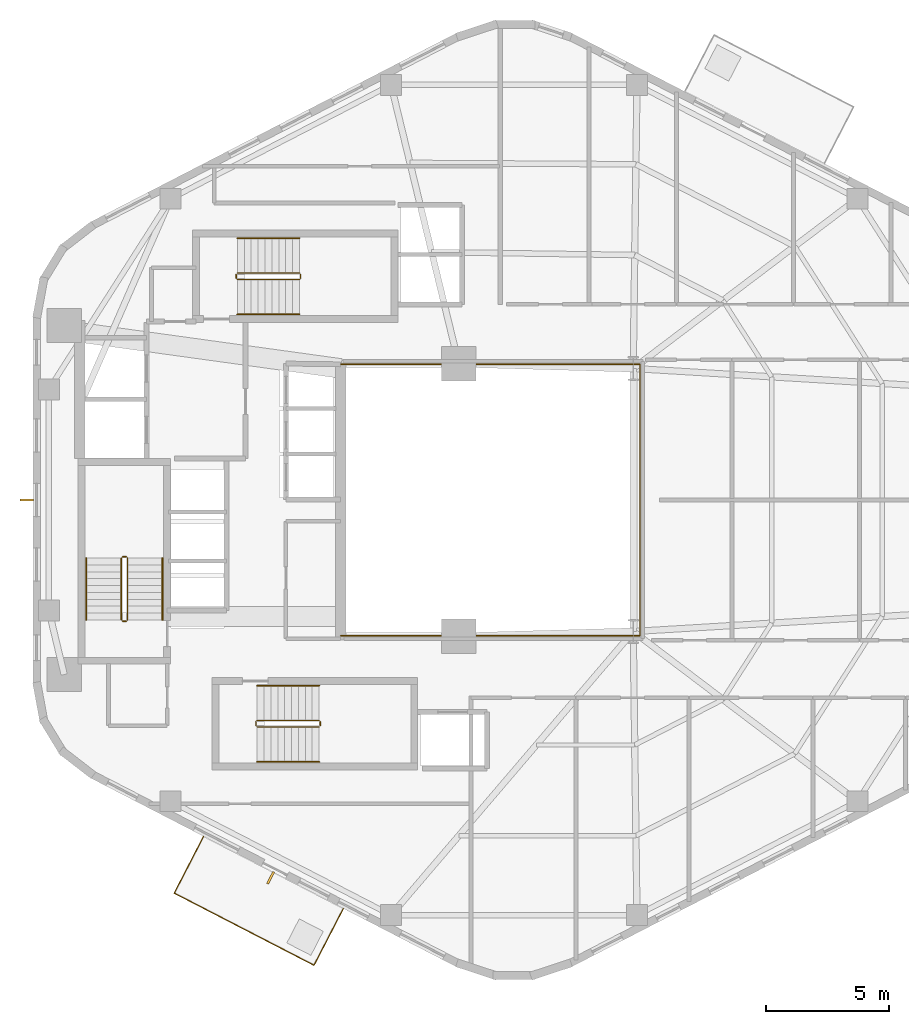
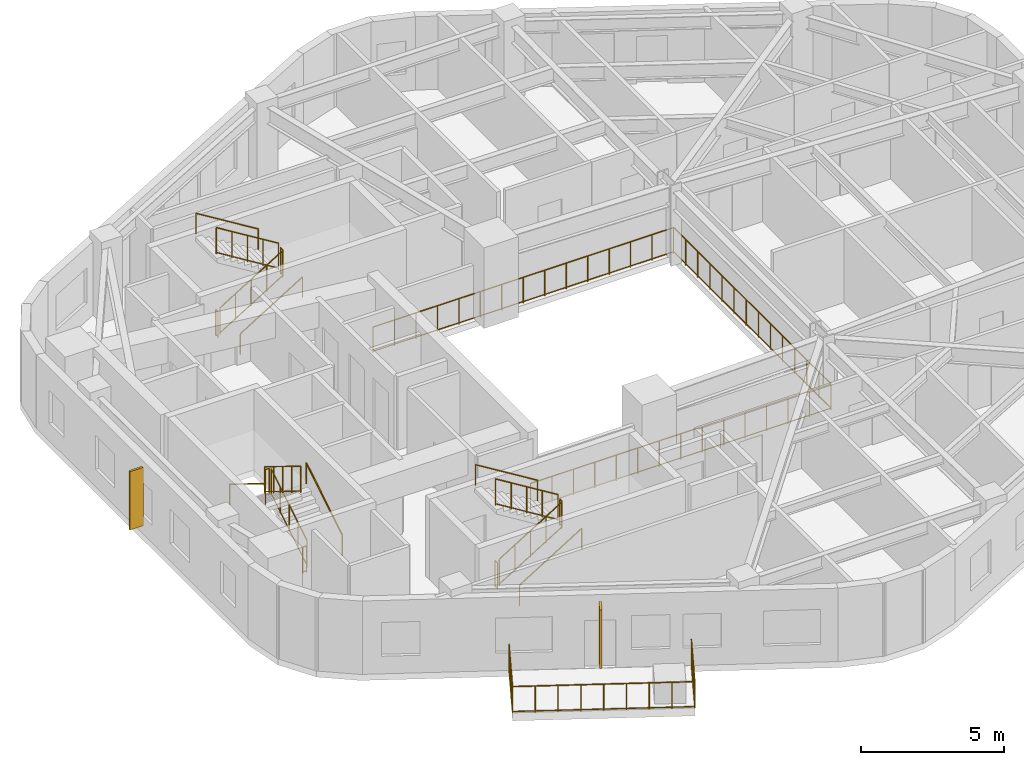
# One storey, part 7 of 8: 20 railings, 2 shading devices.
"""IFC4 building model written with IfcOpenShell, lengths in metres."""

import ifcopenshell
import ifcopenshell.guid

model = None  # the IFC model being written
_history = None  # IfcOwnerHistory: only IFC2X3 demands one
_inside = {}  # id of a spatial element -> (the spatial element, [elements in it])
_under = {}  # id of a project, library or spatial element -> (it, [spatial elements below it])
_declared = {}  # id of a project -> (the project, [libraries it declares])
_typed = {}  # id of a type object -> (the type object, [elements of that type])
_made_of = {}  # id of a material, layer set ... -> (it, [elements and type objects made of it])


def new_model(schema):
    """Start an empty IFC model of exactly this schema.

    Asked for "IFC4X3", IfcOpenShell would pick the latest addendum, in which some entities
    have other attributes; the version numbers below select the first issue.
    IFC2X3 requires an IfcOwnerHistory on every rooted entity: one is made here for all.
    """
    global model, _history
    if schema == "IFC4X3":
        model = ifcopenshell.file(schema_version=(4, 3, 0, 0))
    else:
        model = ifcopenshell.file(schema=schema)
    _inside.clear()
    _under.clear()
    _declared.clear()
    _typed.clear()
    _made_of.clear()
    _history = None
    if model.schema == "IFC2X3":
        org = make("IfcOrganization", Name="unknown")
        user = make(
            "IfcPersonAndOrganization",
            ThePerson=make("IfcPerson", FamilyName="unknown"),
            TheOrganization=org,
        )
        app = make(
            "IfcApplication",
            ApplicationDeveloper=org,
            Version="unknown",
            ApplicationFullName="unknown",
            ApplicationIdentifier="unknown",
        )
        _history = make(
            "IfcOwnerHistory",
            OwningUser=user,
            OwningApplication=app,
            ChangeAction="ADDED",
            CreationDate=0,
        )
    return model


def make(cls, **values):
    """One entity of the class cls with the attributes given. An attribute that is None is left unset."""
    return model.create_entity(
        cls, **{name: value for name, value in values.items() if value is not None}
    )


def rooted(cls, **values):
    """An entity with a GlobalId (a new one), such as an element, a storey or a relation."""
    return make(cls, GlobalId=ifcopenshell.guid.new(), OwnerHistory=_history, **values)


def si_unit(unit_type, name, prefix=None):
    """IfcSIUnit, for example si_unit("LENGTHUNIT", "METRE", prefix="MILLI")."""
    return make("IfcSIUnit", UnitType=unit_type, Prefix=prefix, Name=name)


def assignment(units):
    """IfcUnitAssignment: the units of a project."""
    return None if units is None else make("IfcUnitAssignment", Units=units)


def point(xyz):
    """IfcCartesianPoint."""
    return None if xyz is None else make("IfcCartesianPoint", Coordinates=xyz)


def direction(xyz):
    """IfcDirection."""
    return None if xyz is None else make("IfcDirection", DirectionRatios=xyz)


def frame(location, z_axis=None, x_axis=None):
    """IfcAxis2Placement3D, a coordinate frame: its origin and axes. An axis left out is left unset."""
    return make(
        "IfcAxis2Placement3D",
        Location=point(location),
        Axis=direction(z_axis),
        RefDirection=direction(x_axis),
    )


def frame_2d(location, x_axis=None):
    """IfcAxis2Placement2D, a coordinate frame in the plane: its origin and x axis."""
    return make(
        "IfcAxis2Placement2D", Location=point(location), RefDirection=direction(x_axis)
    )


def origin():
    """The frame at (0, 0, 0) with its axes left unset."""
    return frame((0.0, 0.0, 0.0))


def origin_2d():
    """The frame at (0, 0) in the plane with its x axis left unset."""
    return frame_2d((0.0, 0.0))


def place(relative_to, where):
    """IfcLocalPlacement: puts the frame where relative to a parent placement (None: the world)."""
    return make(
        "IfcLocalPlacement", PlacementRelTo=relative_to, RelativePlacement=where
    )


def context(
    kind, dimensions, precision=None, world=None, true_north=None, identifier=None
):
    """IfcGeometricRepresentationContext, for example the 3D "Model" context."""
    return make(
        "IfcGeometricRepresentationContext",
        ContextIdentifier=identifier,
        ContextType=kind,
        CoordinateSpaceDimension=dimensions,
        Precision=precision,
        WorldCoordinateSystem=world,
        TrueNorth=true_north,
    )


def subcontext(parent, identifier, kind, view, scale=None):
    """IfcGeometricRepresentationSubContext, for example "Body" below "Model"."""
    return make(
        "IfcGeometricRepresentationSubContext",
        ContextIdentifier=identifier,
        ContextType=kind,
        ParentContext=parent,
        TargetScale=scale,
        TargetView=view,
    )


def project(units=None, contexts=None):
    """IfcProject with its units and contexts."""
    return rooted(
        "IfcProject",
        Name="project",
        RepresentationContexts=contexts,
        UnitsInContext=assignment(units),
    )


def spatial(cls, under=None, at=None, **own):
    """A site, building, storey or space (cls), placed at a placement, below another one or the project."""
    s = rooted(cls, ObjectPlacement=at, **own)
    if under is not None:
        _under.setdefault(under.id(), (under, []))[1].append(s)
    return s


def profile(cls, at=None, kind="AREA", **sizes):
    """A parametric profile (cls). Its sizes go by their IFC names, for example OverallWidth=200.0."""
    return make(cls, ProfileType=kind, Position=at, **sizes)


def rectangle(**sizes):
    """IfcRectangleProfileDef."""
    return profile("IfcRectangleProfileDef", **sizes)


def circle(**sizes):
    """IfcCircleProfileDef."""
    return profile("IfcCircleProfileDef", **sizes)


def extrude(swept, where, along, depth):
    """IfcExtrudedAreaSolid: the profile swept, set in the frame where, extruded along a direction by depth."""
    return make(
        "IfcExtrudedAreaSolid",
        SweptArea=swept,
        Position=where,
        ExtrudedDirection=direction(along),
        Depth=depth,
    )


def shape(context_of_items, identifier, shape_type, items):
    """IfcShapeRepresentation: the items that make up one representation, for example the "Body"."""
    return make(
        "IfcShapeRepresentation",
        ContextOfItems=context_of_items,
        RepresentationIdentifier=identifier,
        RepresentationType=shape_type,
        Items=items,
    )


def material(Name=None, Category=None):
    """IfcMaterial."""
    return make("IfcMaterial", Name=Name, Category=Category)


def made_of(thing, what):
    """Note that an element or type object is made of a material, layer set ...; save() writes the relation."""
    if what is not None:
        _made_of.setdefault(what.id(), (what, []))[1].append(thing)
    return thing


def type_object(cls, material=None, **own):
    """A type object (cls), such as IfcWallType, which elements share."""
    return made_of(rooted(cls, **own), material)


def element(
    cls,
    number,
    at=None,
    inside=None,
    cuts=None,
    type_object=None,
    material=None,
    context=None,
    identifier="Body",
    shape_type=None,
    held_by="IfcProductDefinitionShape",
    body=None,
    shapes=None,
    **own,
):
    """One element of the class cls, such as IfcWall. Its Tag is "e" and its number.

    at: its placement. inside: the storey or other place that contains it. cuts: it is an
    opening in that element (IfcRelVoidsElement). A single representation is given by context,
    identifier, shape_type and body (its items); several are given by shapes. held_by: the class
    of the entity that holds the representations. save() writes the other relations.
    """
    e = rooted(cls, Tag="e%d" % number, ObjectPlacement=at, **own)
    if body is not None:
        shapes = [shape(context, identifier, shape_type, body)]
    if shapes is not None:
        e.Representation = make(held_by, Representations=shapes)
    if inside is not None:
        _inside.setdefault(inside.id(), (inside, []))[1].append(e)
    if cuts is not None:
        rooted(
            "IfcRelVoidsElement", RelatingBuildingElement=cuts, RelatedOpeningElement=e
        )
    if type_object is not None:
        _typed.setdefault(type_object.id(), (type_object, []))[1].append(e)
    return made_of(e, material)


def aggregate(whole, parts):
    """IfcRelAggregates: a whole, such as a stair, and the parts it consists of."""
    return rooted("IfcRelAggregates", RelatingObject=whole, RelatedObjects=parts)


def save(model, path):
    """Write the relations noted so far, then the file.

    IfcRelAggregates (storeys below a building ...), IfcRelContainedInSpatialStructure (elements
    in a storey), IfcRelDefinesByType, IfcRelAssociatesMaterial and IfcRelDeclares: one each for
    every whole, place, type object, material and project.
    """
    for whole, parts in _under.values():
        aggregate(whole, parts)
    for where, things in _inside.values():
        rooted(
            "IfcRelContainedInSpatialStructure",
            RelatedElements=things,
            RelatingStructure=where,
        )
    for kind, things in _typed.values():
        rooted("IfcRelDefinesByType", RelatedObjects=things, RelatingType=kind)
    for what, things in _made_of.values():
        rooted("IfcRelAssociatesMaterial", RelatedObjects=things, RelatingMaterial=what)
    for by, libraries in _declared.values():
        rooted("IfcRelDeclares", RelatingContext=by, RelatedDefinitions=libraries)
    model.write(path)


model = new_model("IFC4")

# Units and contexts
model_context = context("Model", 3, precision=1e-05, world=origin(), true_north=direction((0.0, 1.0)))
body_context = subcontext(model_context, "Body", "Model", "MODEL_VIEW")
ifc_project = project(units=[si_unit("LENGTHUNIT", "METRE"), si_unit("AREAUNIT", "SQUARE_METRE"), si_unit("VOLUMEUNIT", "CUBIC_METRE"), si_unit("PLANEANGLEUNIT", "RADIAN"), si_unit("MASSUNIT", "GRAM", prefix="KILO"), si_unit("THERMODYNAMICTEMPERATUREUNIT", "KELVIN"), si_unit("POWERUNIT", "WATT")], contexts=[model_context])

# Site, building, storey
site_placement = place(None, origin())
site = spatial("IfcSite", under=ifc_project, at=site_placement, CompositionType="ELEMENT")
building_placement = place(site_placement, origin())
building = spatial("IfcBuilding", under=site, at=building_placement, Name="Skarre Station Tower", CompositionType="ELEMENT")
storey_placement = place(building_placement, frame((0.0, 0.0, 187.800048828125)))
storey = spatial("IfcBuildingStorey", under=building, at=storey_placement, Name="L51", CompositionType="ELEMENT", Elevation=187.800048828125)

# Railings
ifc_material_1 = material(Name="Bronze Anodized Steel & Laminated Glass Balustrade", Category="steel")
railing_type_1 = type_object("IfcRailingType", Name="Atrium Void & Mezzanine Guard Balustrade 1120", PredefinedType="GUARDRAIL", material=ifc_material_1)
railing_1_placement = place(storey_placement, frame((27.550048828125, 18.47998046875, 0.0)))
element("IfcRailing", 1, at=railing_1_placement, inside=storey, type_object=railing_type_1, Name="L51 Atrium Void Guard Balustrade", PredefinedType="GUARDRAIL", context=body_context, shape_type="SweptSolid", body=[
    extrude(circle(Radius=0.02392578125, at=origin_2d()), frame((0.0, 0.0, 1.09619140625), z_axis=(1.0, 0.0, 0.0), x_axis=(0.0, 1.0, 0.0)), (0.0, 0.0, 1.0), 12.169921875),
    extrude(circle(Radius=0.02099609375, at=origin_2d()), frame((0.0, 0.0, 0.06005859375), z_axis=(1.0, 0.0, 0.0), x_axis=(0.0, 1.0, 0.0)), (0.0, 0.0, 1.0), 12.169921875),
    extrude(circle(Radius=0.02392578125, at=origin_2d()), frame((12.169921875, 0.0, 1.09619140625), z_axis=(0.0, 1.0, 0.0), x_axis=(-1.0, 0.0, 0.0)), (0.0, 0.0, 1.0), 11.0400390625),
    extrude(circle(Radius=0.02099609375, at=origin_2d()), frame((12.169921875, 0.0, 0.06005859375), z_axis=(0.0, 1.0, 0.0), x_axis=(-1.0, 0.0, 0.0)), (0.0, 0.0, 1.0), 11.0400390625),
    extrude(circle(Radius=0.02392578125, at=origin_2d()), frame((12.169921875, 11.0400390625, 1.09619140625), z_axis=(-1.0, 0.0, 0.0), x_axis=(0.0, -1.0, 0.0)), (0.0, 0.0, 1.0), 12.169921875),
    extrude(circle(Radius=0.02099609375, at=origin_2d()), frame((12.169921875, 11.0400390625, 0.06005859375), z_axis=(-1.0, 0.0, 0.0), x_axis=(0.0, -1.0, 0.0)), (0.0, 0.0, 1.0), 12.169921875),
    extrude(circle(Radius=0.02099609375, at=origin_2d()), origin(), (0.0, 0.0, 1.0), 1.072021484375),
    extrude(circle(Radius=0.02099609375, at=origin_2d()), frame((0.869384765625, 0.0, 0.0)), (0.0, 0.0, 1.0), 1.072021484375),
    extrude(circle(Radius=0.02099609375, at=origin_2d()), frame((1.738525390625, 0.0, 0.0)), (0.0, 0.0, 1.0), 1.072021484375),
    extrude(circle(Radius=0.02099609375, at=origin_2d()), frame((2.60791015625, 0.0, 0.0)), (0.0, 0.0, 1.0), 1.072021484375),
    extrude(circle(Radius=0.02099609375, at=origin_2d()), frame((3.47705078125, 0.0, 0.0)), (0.0, 0.0, 1.0), 1.072021484375),
    extrude(circle(Radius=0.02099609375, at=origin_2d()), frame((4.346435546875, 0.0, 0.0)), (0.0, 0.0, 1.0), 1.072021484375),
    extrude(circle(Radius=0.02099609375, at=origin_2d()), frame((5.215576171875, 0.0, 0.0)), (0.0, 0.0, 1.0), 1.072021484375),
    extrude(circle(Radius=0.02099609375, at=origin_2d()), frame((6.0849609375, 0.0, 0.0)), (0.0, 0.0, 1.0), 1.072021484375),
    extrude(circle(Radius=0.02099609375, at=origin_2d()), frame((6.954345703125, 0.0, 0.0)), (0.0, 0.0, 1.0), 1.072021484375),
    extrude(circle(Radius=0.02099609375, at=origin_2d()), frame((7.823486328125, 0.0, 0.0)), (0.0, 0.0, 1.0), 1.072021484375),
    extrude(circle(Radius=0.02099609375, at=origin_2d()), frame((8.69287109375, 0.0, 0.0)), (0.0, 0.0, 1.0), 1.072021484375),
    extrude(circle(Radius=0.02099609375, at=origin_2d()), frame((9.56201171875, 0.0, 0.0)), (0.0, 0.0, 1.0), 1.072021484375),
    extrude(circle(Radius=0.02099609375, at=origin_2d()), frame((10.431396484375, 0.0, 0.0)), (0.0, 0.0, 1.0), 1.072021484375),
    extrude(circle(Radius=0.02099609375, at=origin_2d()), frame((11.300537109375, 0.0, 0.0)), (0.0, 0.0, 1.0), 1.072021484375),
    extrude(circle(Radius=0.02099609375, at=origin_2d()), frame((12.169921875, 0.0, 0.0)), (0.0, 0.0, 1.0), 1.072021484375),
    extrude(circle(Radius=0.02099609375, at=origin_2d()), frame((12.169921875, 0.84912109375, 0.0)), (0.0, 0.0, 1.0), 1.072021484375),
    extrude(circle(Radius=0.02099609375, at=origin_2d()), frame((12.169921875, 1.698486328125, 0.0)), (0.0, 0.0, 1.0), 1.072021484375),
    extrude(circle(Radius=0.02099609375, at=origin_2d()), frame((12.169921875, 2.547607421875, 0.0)), (0.0, 0.0, 1.0), 1.072021484375),
    extrude(circle(Radius=0.02099609375, at=origin_2d()), frame((12.169921875, 3.39697265625, 0.0)), (0.0, 0.0, 1.0), 1.072021484375),
    extrude(circle(Radius=0.02099609375, at=origin_2d()), frame((12.169921875, 4.24609375, 0.0)), (0.0, 0.0, 1.0), 1.072021484375),
    extrude(circle(Radius=0.02099609375, at=origin_2d()), frame((12.169921875, 5.095458984375, 0.0)), (0.0, 0.0, 1.0), 1.072021484375),
    extrude(circle(Radius=0.02099609375, at=origin_2d()), frame((12.169921875, 5.944580078125, 0.0)), (0.0, 0.0, 1.0), 1.072021484375),
    extrude(circle(Radius=0.02099609375, at=origin_2d()), frame((12.169921875, 6.7939453125, 0.0)), (0.0, 0.0, 1.0), 1.072021484375),
    extrude(circle(Radius=0.02099609375, at=origin_2d()), frame((12.169921875, 7.64306640625, 0.0)), (0.0, 0.0, 1.0), 1.072021484375),
    extrude(circle(Radius=0.02099609375, at=origin_2d()), frame((12.169921875, 8.492431640625, 0.0)), (0.0, 0.0, 1.0), 1.072021484375),
    extrude(circle(Radius=0.02099609375, at=origin_2d()), frame((12.169921875, 9.341552734375, 0.0)), (0.0, 0.0, 1.0), 1.072021484375),
    extrude(circle(Radius=0.02099609375, at=origin_2d()), frame((12.169921875, 10.19091796875, 0.0)), (0.0, 0.0, 1.0), 1.072021484375),
    extrude(circle(Radius=0.02099609375, at=origin_2d()), frame((12.169921875, 11.0400390625, 0.0)), (0.0, 0.0, 1.0), 1.072021484375),
    extrude(circle(Radius=0.02099609375, at=origin_2d()), frame((11.300537109375, 11.0400390625, 0.0)), (0.0, 0.0, 1.0), 1.072021484375),
    extrude(circle(Radius=0.02099609375, at=origin_2d()), frame((10.431396484375, 11.0400390625, 0.0)), (0.0, 0.0, 1.0), 1.072021484375),
    extrude(circle(Radius=0.02099609375, at=origin_2d()), frame((9.56201171875, 11.0400390625, 0.0)), (0.0, 0.0, 1.0), 1.072021484375),
    extrude(circle(Radius=0.02099609375, at=origin_2d()), frame((8.69287109375, 11.0400390625, 0.0)), (0.0, 0.0, 1.0), 1.072021484375),
    extrude(circle(Radius=0.02099609375, at=origin_2d()), frame((7.823486328125, 11.0400390625, 0.0)), (0.0, 0.0, 1.0), 1.072021484375),
    extrude(circle(Radius=0.02099609375, at=origin_2d()), frame((6.954345703125, 11.0400390625, 0.0)), (0.0, 0.0, 1.0), 1.072021484375),
    extrude(circle(Radius=0.02099609375, at=origin_2d()), frame((6.0849609375, 11.0400390625, 0.0)), (0.0, 0.0, 1.0), 1.072021484375),
    extrude(circle(Radius=0.02099609375, at=origin_2d()), frame((5.215576171875, 11.0400390625, 0.0)), (0.0, 0.0, 1.0), 1.072021484375),
    extrude(circle(Radius=0.02099609375, at=origin_2d()), frame((4.346435546875, 11.0400390625, 0.0)), (0.0, 0.0, 1.0), 1.072021484375),
    extrude(circle(Radius=0.02099609375, at=origin_2d()), frame((3.47705078125, 11.0400390625, 0.0)), (0.0, 0.0, 1.0), 1.072021484375),
    extrude(circle(Radius=0.02099609375, at=origin_2d()), frame((2.60791015625, 11.0400390625, 0.0)), (0.0, 0.0, 1.0), 1.072021484375),
    extrude(circle(Radius=0.02099609375, at=origin_2d()), frame((1.738525390625, 11.0400390625, 0.0)), (0.0, 0.0, 1.0), 1.072021484375),
    extrude(circle(Radius=0.02099609375, at=origin_2d()), frame((0.869384765625, 11.0400390625, 0.0)), (0.0, 0.0, 1.0), 1.072021484375),
    extrude(circle(Radius=0.02099609375, at=origin_2d()), frame((0.0, 11.0400390625, 0.0)), (0.0, 0.0, 1.0), 1.072021484375),
])
ifc_material_2 = material(Name="Stainless Steel Grade 316L & Laminated Safety Glass", Category="steel")
railing_type_2 = type_object("IfcRailingType", Name="Laminated Glass & Stainless Terrace Guardrail 1150", PredefinedType="BALUSTRADE", material=ifc_material_2)
railing_2_placement = place(storey_placement, frame((21.966064453125, 10.30908203125, 0.0)))
element("IfcRailing", 2, at=railing_2_placement, inside=storey, type_object=railing_type_2, Name="L51 TB-L51-F3 Tree-Balcony Guardrail", PredefinedType="BALUSTRADE", context=body_context, shape_type="SweptSolid", body=[
    extrude(circle(Radius=0.02392578125, at=origin_2d()), frame((0.0, 0.0, 1.1259765625), z_axis=(-0.458599707136, -0.888642959019, 0.0), x_axis=(0.888642959019, -0.458599707136, 0.0)), (0.0, 0.0, 1.0), 2.590576171875),
    extrude(circle(Radius=0.02099609375, at=origin_2d()), frame((0.0, 0.0, 0.06005859375), z_axis=(-0.458599707136, -0.888642959019, 0.0), x_axis=(0.888642959019, -0.458599707136, 0.0)), (0.0, 0.0, 1.0), 2.590576171875),
    extrude(circle(Radius=0.02392578125, at=origin_2d()), frame((-1.18798828125, -2.302001953125, 1.1259765625), z_axis=(0.888631690717, -0.458621541418, 0.0), x_axis=(0.458621541418, 0.888631690717, 0.0)), (0.0, 0.0, 1.0), 6.399658203125),
    extrude(circle(Radius=0.02099609375, at=origin_2d()), frame((-1.18798828125, -2.302001953125, 0.06005859375), z_axis=(0.888631690717, -0.458621541418, 0.0), x_axis=(0.458621541418, 0.888631690717, 0.0)), (0.0, 0.0, 1.0), 6.399658203125),
    extrude(circle(Radius=0.02392578125, at=origin_2d()), frame((4.4990234375, -5.237060546875, 1.1259765625), z_axis=(0.458753384133, 0.888563634495, 0.0), x_axis=(-0.888563634495, 0.458753384133, 0.0)), (0.0, 0.0, 1.0), 2.589599609375),
    extrude(circle(Radius=0.02099609375, at=origin_2d()), frame((4.4990234375, -5.237060546875, 0.06005859375), z_axis=(0.458753384133, 0.888563634495, 0.0), x_axis=(-0.888563634495, 0.458753384133, 0.0)), (0.0, 0.0, 1.0), 2.589599609375),
    extrude(circle(Radius=0.02099609375, at=origin_2d()), origin(), (0.0, 0.0, 1.0), 1.101806640625),
    extrude(circle(Radius=0.02099609375, at=origin_2d()), frame((-0.39599609375, -0.767333984375, 0.0)), (0.0, 0.0, 1.0), 1.101806640625),
    extrude(circle(Radius=0.02099609375, at=origin_2d()), frame((-0.7919921875, -1.53466796875, 0.0)), (0.0, 0.0, 1.0), 1.101806640625),
    extrude(circle(Radius=0.02099609375, at=origin_2d()), frame((-1.18798828125, -2.302001953125, 0.0)), (0.0, 0.0, 1.0), 1.101806640625),
    extrude(circle(Radius=0.02099609375, at=origin_2d()), frame((-0.47705078125, -2.6689453125, 0.0)), (0.0, 0.0, 1.0), 1.101806640625),
    extrude(circle(Radius=0.02099609375, at=origin_2d()), frame((0.23388671875, -3.03564453125, 0.0)), (0.0, 0.0, 1.0), 1.101806640625),
    extrude(circle(Radius=0.02099609375, at=origin_2d()), frame((0.944580078125, -3.402587890625, 0.0)), (0.0, 0.0, 1.0), 1.101806640625),
    extrude(circle(Radius=0.02099609375, at=origin_2d()), frame((1.655517578125, -3.76953125, 0.0)), (0.0, 0.0, 1.0), 1.101806640625),
    extrude(circle(Radius=0.02099609375, at=origin_2d()), frame((2.366455078125, -4.136474609375, 0.0)), (0.0, 0.0, 1.0), 1.101806640625),
    extrude(circle(Radius=0.02099609375, at=origin_2d()), frame((3.0771484375, -4.50341796875, 0.0)), (0.0, 0.0, 1.0), 1.101806640625),
    extrude(circle(Radius=0.02099609375, at=origin_2d()), frame((3.7880859375, -4.8701171875, 0.0)), (0.0, 0.0, 1.0), 1.101806640625),
    extrude(circle(Radius=0.02099609375, at=origin_2d()), frame((4.4990234375, -5.237060546875, 0.0)), (0.0, 0.0, 1.0), 1.101806640625),
    extrude(circle(Radius=0.02099609375, at=origin_2d()), frame((4.89501953125, -4.469970703125, 0.0)), (0.0, 0.0, 1.0), 1.101806640625),
    extrude(circle(Radius=0.02099609375, at=origin_2d()), frame((5.291015625, -3.703125, 0.0)), (0.0, 0.0, 1.0), 1.101806640625),
    extrude(circle(Radius=0.02099609375, at=origin_2d()), frame((5.68701171875, -2.93603515625, 0.0)), (0.0, 0.0, 1.0), 1.101806640625),
])

# Shading devices
ifc_material_3 = material(Name="Bronze Anodized Extruded Aluminium 6063-T6", Category="aluminium")
shading_device_type = type_object("IfcShadingDeviceType", Name="Nordic Bronze Vertical Solar Fin 550x90", PredefinedType="SHUTTER", material=ifc_material_3)
for number, where, z_axis, x_axis, name in (
    (3, (14.778076171875, 24.0, 0.349853515625), (0.0, 0.0, 1.0), (-1.0, 0.0, 0.0), "L51 Facet 2 Bronze Solar Fin"),
    (4, (24.698974609375, 8.6279296875, 0.349853515625), (0.0, 0.0, 1.0), (-0.458634045118, -0.888625237464, 0.0), "L51 Facet 3 Bronze Solar Fin"),
):
    element("IfcShadingDevice", number, at=place(storey_placement, frame(where, z_axis=z_axis, x_axis=x_axis)), inside=storey, type_object=shading_device_type, Name=name, PredefinedType="SHUTTER", context=body_context, shape_type="SweptSolid", body=[
        extrude(rectangle(XDim=0.550048828125, YDim=0.090087890625, at=origin_2d()), origin(), (0.0, 0.0, 1.0), 2.5),
    ])

# Railings
ifc_material_4 = material(Name="Powder-Coated Tubular Steel", Category="steel")
railing_type_3 = type_object("IfcRailingType", Name="Painted Steel Ramp & Stair Handrail 920", PredefinedType="HANDRAIL", material=ifc_material_4)
railing_3_placement = place(storey_placement, frame((20.300048828125, 19.1201171875, 0.17236328125)))
element("IfcRailing", 5, at=railing_3_placement, inside=storey, type_object=railing_type_3, Name="L51 ST-1 stair handrail 1", PredefinedType="HANDRAIL", context=body_context, shape_type="SweptSolid", body=[
    extrude(circle(Radius=0.02392578125, at=origin_2d()), frame((0.0, 0.0, 0.8759765625), z_axis=(0.0, 0.851377800117, 0.52455299205), x_axis=(-1.0, 0.0, 0.0)), (0.0, 0.0, 1.0), 2.959716796875),
    extrude(circle(Radius=0.02099609375, at=origin_2d()), origin(), (0.0, 0.0, 1.0), 0.851806640625),
    extrude(circle(Radius=0.02099609375, at=origin_2d()), frame((0.0, 2.519775390625, 1.552490234375)), (0.0, 0.0, 1.0), 0.851806640625),
])
railing_4_placement = place(storey_placement, frame((17.199951171875, 21.639892578125, 1.8974609375)))
element("IfcRailing", 6, at=railing_4_placement, inside=storey, type_object=railing_type_3, Name="L51 ST-1 stair handrail 2", PredefinedType="HANDRAIL", context=body_context, shape_type="SweptSolid", body=[
    extrude(circle(Radius=0.02392578125, at=origin_2d()), frame((0.0, 0.0, 0.8759765625), z_axis=(0.0, -0.851377800117, 0.52455299205), x_axis=(1.0, 0.0, 0.0)), (0.0, 0.0, 1.0), 2.959716796875),
    extrude(circle(Radius=0.02099609375, at=origin_2d()), origin(), (0.0, 0.0, 1.0), 0.851806640625),
    extrude(circle(Radius=0.02099609375, at=origin_2d()), frame((0.0, -2.519775390625, 1.552490234375)), (0.0, 0.0, 1.0), 0.851806640625),
])
railing_5_placement = place(storey_placement, frame((24.14990234375, 13.35009765625, 0.17236328125)))
element("IfcRailing", 7, at=railing_5_placement, inside=storey, type_object=railing_type_3, Name="L51 ST-2 stair handrail 1", PredefinedType="HANDRAIL", context=body_context, shape_type="SweptSolid", body=[
    extrude(circle(Radius=0.02392578125, at=origin_2d()), frame((0.0, 0.0, 0.8759765625), z_axis=(0.851400495292, 0.0, 0.524516154772), x_axis=(0.0, 1.0, 0.0)), (0.0, 0.0, 1.0), 2.9599609375),
    extrude(circle(Radius=0.02099609375, at=origin_2d()), origin(), (0.0, 0.0, 1.0), 0.851806640625),
    extrude(circle(Radius=0.02099609375, at=origin_2d()), frame((2.52001953125, 0.0, 1.552490234375)), (0.0, 0.0, 1.0), 0.851806640625),
])
railing_6_placement = place(storey_placement, frame((26.669921875, 16.449951171875, 1.8974609375)))
element("IfcRailing", 8, at=railing_6_placement, inside=storey, type_object=railing_type_3, Name="L51 ST-2 stair handrail 2", PredefinedType="HANDRAIL", context=body_context, shape_type="SweptSolid", body=[
    extrude(circle(Radius=0.02392578125, at=origin_2d()), frame((0.0, 0.0, 0.8759765625), z_axis=(-0.851400495292, 0.0, 0.524516154772), x_axis=(0.0, -1.0, 0.0)), (0.0, 0.0, 1.0), 2.9599609375),
    extrude(circle(Radius=0.02099609375, at=origin_2d()), origin(), (0.0, 0.0, 1.0), 0.851806640625),
    extrude(circle(Radius=0.02099609375, at=origin_2d()), frame((-2.52001953125, 0.0, 1.552490234375)), (0.0, 0.0, 1.0), 0.851806640625),
])
railing_7_placement = place(storey_placement, frame((23.35009765625, 31.550048828125, 0.17236328125)))
element("IfcRailing", 9, at=railing_7_placement, inside=storey, type_object=railing_type_3, Name="L51 ST-3 stair handrail 1", PredefinedType="HANDRAIL", context=body_context, shape_type="SweptSolid", body=[
    extrude(circle(Radius=0.02392578125, at=origin_2d()), frame((0.0, 0.0, 0.8759765625), z_axis=(0.851400495292, 0.0, 0.524516154772), x_axis=(0.0, 1.0, 0.0)), (0.0, 0.0, 1.0), 2.9599609375),
    extrude(circle(Radius=0.02099609375, at=origin_2d()), origin(), (0.0, 0.0, 1.0), 0.851806640625),
    extrude(circle(Radius=0.02099609375, at=origin_2d()), frame((2.52001953125, 0.0, 1.552490234375)), (0.0, 0.0, 1.0), 0.851806640625),
])
railing_8_placement = place(storey_placement, frame((25.8701171875, 34.64990234375, 1.8974609375)))
element("IfcRailing", 10, at=railing_8_placement, inside=storey, type_object=railing_type_3, Name="L51 ST-3 stair handrail 2", PredefinedType="HANDRAIL", context=body_context, shape_type="SweptSolid", body=[
    extrude(circle(Radius=0.02392578125, at=origin_2d()), frame((0.0, 0.0, 0.8759765625), z_axis=(-0.851400495292, 0.0, 0.524516154772), x_axis=(0.0, -1.0, 0.0)), (0.0, 0.0, 1.0), 2.9599609375),
    extrude(circle(Radius=0.02099609375, at=origin_2d()), origin(), (0.0, 0.0, 1.0), 0.851806640625),
    extrude(circle(Radius=0.02099609375, at=origin_2d()), frame((-2.52001953125, 0.0, 1.552490234375)), (0.0, 0.0, 1.0), 0.851806640625),
])
railing_type_4 = type_object("IfcRailingType", Name="Painted Steel Stairwell Guardrail 1100", PredefinedType="GUARDRAIL", material=ifc_material_4)
railing_9_placement = place(storey_placement, frame((18.8798828125, 19.1201171875, 0.17236328125)))
element("IfcRailing", 11, at=railing_9_placement, inside=storey, type_object=railing_type_4, Name="L51 ST-1 stair guard 1", PredefinedType="GUARDRAIL", context=body_context, shape_type="SweptSolid", body=[
    extrude(circle(Radius=0.02392578125, at=origin_2d()), frame((0.0, 0.0, 1.1259765625), z_axis=(0.0, 0.851377800117, 0.52455299205), x_axis=(-1.0, 0.0, 0.0)), (0.0, 0.0, 1.0), 2.959716796875),
    extrude(circle(Radius=0.02099609375, at=origin_2d()), frame((0.0, 0.0, 0.06005859375), z_axis=(0.0, 0.851377800117, 0.52455299205), x_axis=(-1.0, 0.0, 0.0)), (0.0, 0.0, 1.0), 2.959716796875),
    extrude(circle(Radius=0.02099609375, at=origin_2d()), origin(), (0.0, 0.0, 1.0), 1.101806640625),
    extrude(circle(Radius=0.02099609375, at=origin_2d()), frame((0.0, 0.6298828125, 0.38818359375)), (0.0, 0.0, 1.0), 1.101806640625),
    extrude(circle(Radius=0.02099609375, at=origin_2d()), frame((0.0, 1.259765625, 0.7763671875)), (0.0, 0.0, 1.0), 1.101806640625),
    extrude(circle(Radius=0.02099609375, at=origin_2d()), frame((0.0, 1.889892578125, 1.164306640625)), (0.0, 0.0, 1.0), 1.101806640625),
    extrude(circle(Radius=0.02099609375, at=origin_2d()), frame((0.0, 2.519775390625, 1.552490234375)), (0.0, 0.0, 1.0), 1.101806640625),
])
railing_10_placement = place(storey_placement, frame((18.830078125, 21.68994140625, 1.724853515625)))
element("IfcRailing", 12, at=railing_10_placement, inside=storey, type_object=railing_type_4, Name="L51 ST-1 stair guard 2", PredefinedType="GUARDRAIL", context=body_context, shape_type="SweptSolid", body=[
    extrude(circle(Radius=0.02392578125, at=origin_2d()), frame((0.0, 0.0, 1.1259765625), z_axis=(-1.0, 0.0, 0.0), x_axis=(0.0, -1.0, 0.0)), (0.0, 0.0, 1.0), 0.16015625),
    extrude(circle(Radius=0.02099609375, at=origin_2d()), frame((0.0, 0.0, 0.06005859375), z_axis=(-1.0, 0.0, 0.0), x_axis=(0.0, -1.0, 0.0)), (0.0, 0.0, 1.0), 0.16015625),
    extrude(circle(Radius=0.02099609375, at=origin_2d()), origin(), (0.0, 0.0, 1.0), 1.101806640625),
    extrude(circle(Radius=0.02099609375, at=origin_2d()), frame((-0.16015625, 0.0, 0.0)), (0.0, 0.0, 1.0), 1.101806640625),
])
railing_11_placement = place(storey_placement, frame((18.6201171875, 21.639892578125, 1.8974609375)))
element("IfcRailing", 13, at=railing_11_placement, inside=storey, type_object=railing_type_4, Name="L51 ST-1 stair guard 3", PredefinedType="GUARDRAIL", context=body_context, shape_type="SweptSolid", body=[
    extrude(circle(Radius=0.02392578125, at=origin_2d()), frame((0.0, 0.0, 1.1259765625), z_axis=(0.0, -0.851377800117, 0.52455299205), x_axis=(1.0, 0.0, 0.0)), (0.0, 0.0, 1.0), 2.959716796875),
    extrude(circle(Radius=0.02099609375, at=origin_2d()), frame((0.0, 0.0, 0.06005859375), z_axis=(0.0, -0.851377800117, 0.52455299205), x_axis=(1.0, 0.0, 0.0)), (0.0, 0.0, 1.0), 2.959716796875),
    extrude(circle(Radius=0.02099609375, at=origin_2d()), origin(), (0.0, 0.0, 1.0), 1.101806640625),
    extrude(circle(Radius=0.02099609375, at=origin_2d()), frame((0.0, -0.6298828125, 0.38818359375)), (0.0, 0.0, 1.0), 1.101806640625),
    extrude(circle(Radius=0.02099609375, at=origin_2d()), frame((0.0, -1.259765625, 0.7763671875)), (0.0, 0.0, 1.0), 1.101806640625),
    extrude(circle(Radius=0.02099609375, at=origin_2d()), frame((0.0, -1.889892578125, 1.164306640625)), (0.0, 0.0, 1.0), 1.101806640625),
    extrude(circle(Radius=0.02099609375, at=origin_2d()), frame((0.0, -2.519775390625, 1.552490234375)), (0.0, 0.0, 1.0), 1.101806640625),
])
railing_12_placement = place(storey_placement, frame((18.830078125, 19.070068359375, 0.0)))
element("IfcRailing", 14, at=railing_12_placement, inside=storey, type_object=railing_type_4, Name="L51 ST-1 stair guard 4", PredefinedType="GUARDRAIL", context=body_context, shape_type="SweptSolid", body=[
    extrude(circle(Radius=0.02392578125, at=origin_2d()), frame((0.0, 0.0, 1.1259765625), z_axis=(-1.0, 0.0, 0.0), x_axis=(0.0, -1.0, 0.0)), (0.0, 0.0, 1.0), 0.16015625),
    extrude(circle(Radius=0.02099609375, at=origin_2d()), frame((0.0, 0.0, 0.06005859375), z_axis=(-1.0, 0.0, 0.0), x_axis=(0.0, -1.0, 0.0)), (0.0, 0.0, 1.0), 0.16015625),
    extrude(circle(Radius=0.02099609375, at=origin_2d()), origin(), (0.0, 0.0, 1.0), 1.101806640625),
    extrude(circle(Radius=0.02099609375, at=origin_2d()), frame((-0.16015625, 0.0, 0.0)), (0.0, 0.0, 1.0), 1.101806640625),
])
railing_13_placement = place(storey_placement, frame((24.14990234375, 14.77001953125, 0.17236328125)))
element("IfcRailing", 15, at=railing_13_placement, inside=storey, type_object=railing_type_4, Name="L51 ST-2 stair guard 1", PredefinedType="GUARDRAIL", context=body_context, shape_type="SweptSolid", body=[
    extrude(circle(Radius=0.02392578125, at=origin_2d()), frame((0.0, 0.0, 1.1259765625), z_axis=(0.851400495292, 0.0, 0.524516154772), x_axis=(0.0, 1.0, 0.0)), (0.0, 0.0, 1.0), 2.9599609375),
    extrude(circle(Radius=0.02099609375, at=origin_2d()), frame((0.0, 0.0, 0.06005859375), z_axis=(0.851400495292, 0.0, 0.524516154772), x_axis=(0.0, 1.0, 0.0)), (0.0, 0.0, 1.0), 2.9599609375),
    extrude(circle(Radius=0.02099609375, at=origin_2d()), origin(), (0.0, 0.0, 1.0), 1.101806640625),
    extrude(circle(Radius=0.02099609375, at=origin_2d()), frame((0.6298828125, 0.0, 0.38818359375)), (0.0, 0.0, 1.0), 1.101806640625),
    extrude(circle(Radius=0.02099609375, at=origin_2d()), frame((1.260009765625, 0.0, 0.7763671875)), (0.0, 0.0, 1.0), 1.101806640625),
    extrude(circle(Radius=0.02099609375, at=origin_2d()), frame((1.89013671875, 0.0, 1.164306640625)), (0.0, 0.0, 1.0), 1.101806640625),
    extrude(circle(Radius=0.02099609375, at=origin_2d()), frame((2.52001953125, 0.0, 1.552490234375)), (0.0, 0.0, 1.0), 1.101806640625),
])
railing_14_placement = place(storey_placement, frame((26.719970703125, 14.820068359375, 1.724853515625)))
element("IfcRailing", 16, at=railing_14_placement, inside=storey, type_object=railing_type_4, Name="L51 ST-2 stair guard 2", PredefinedType="GUARDRAIL", context=body_context, shape_type="SweptSolid", body=[
    extrude(circle(Radius=0.02392578125, at=origin_2d()), frame((0.0, 0.0, 1.1259765625), z_axis=(0.0, 1.0, 0.0), x_axis=(-1.0, 0.0, 0.0)), (0.0, 0.0, 1.0), 0.159912109375),
    extrude(circle(Radius=0.02099609375, at=origin_2d()), frame((0.0, 0.0, 0.06005859375), z_axis=(0.0, 1.0, 0.0), x_axis=(-1.0, 0.0, 0.0)), (0.0, 0.0, 1.0), 0.159912109375),
    extrude(circle(Radius=0.02099609375, at=origin_2d()), origin(), (0.0, 0.0, 1.0), 1.101806640625),
    extrude(circle(Radius=0.02099609375, at=origin_2d()), frame((0.0, 0.159912109375, 0.0)), (0.0, 0.0, 1.0), 1.101806640625),
])
railing_15_placement = place(storey_placement, frame((26.669921875, 15.030029296875, 1.8974609375)))
element("IfcRailing", 17, at=railing_15_placement, inside=storey, type_object=railing_type_4, Name="L51 ST-2 stair guard 3", PredefinedType="GUARDRAIL", context=body_context, shape_type="SweptSolid", body=[
    extrude(circle(Radius=0.02392578125, at=origin_2d()), frame((0.0, 0.0, 1.1259765625), z_axis=(-0.851400495292, 0.0, 0.524516154772), x_axis=(0.0, -1.0, 0.0)), (0.0, 0.0, 1.0), 2.9599609375),
    extrude(circle(Radius=0.02099609375, at=origin_2d()), frame((0.0, 0.0, 0.06005859375), z_axis=(-0.851400495292, 0.0, 0.524516154772), x_axis=(0.0, -1.0, 0.0)), (0.0, 0.0, 1.0), 2.9599609375),
    extrude(circle(Radius=0.02099609375, at=origin_2d()), origin(), (0.0, 0.0, 1.0), 1.101806640625),
    extrude(circle(Radius=0.02099609375, at=origin_2d()), frame((-0.6298828125, 0.0, 0.38818359375)), (0.0, 0.0, 1.0), 1.101806640625),
    extrude(circle(Radius=0.02099609375, at=origin_2d()), frame((-1.260009765625, 0.0, 0.7763671875)), (0.0, 0.0, 1.0), 1.101806640625),
    extrude(circle(Radius=0.02099609375, at=origin_2d()), frame((-1.89013671875, 0.0, 1.164306640625)), (0.0, 0.0, 1.0), 1.101806640625),
    extrude(circle(Radius=0.02099609375, at=origin_2d()), frame((-2.52001953125, 0.0, 1.552490234375)), (0.0, 0.0, 1.0), 1.101806640625),
])
railing_16_placement = place(storey_placement, frame((24.10009765625, 14.820068359375, 0.0)))
element("IfcRailing", 18, at=railing_16_placement, inside=storey, type_object=railing_type_4, Name="L51 ST-2 stair guard 4", PredefinedType="GUARDRAIL", context=body_context, shape_type="SweptSolid", body=[
    extrude(circle(Radius=0.02392578125, at=origin_2d()), frame((0.0, 0.0, 1.1259765625), z_axis=(0.0, 1.0, 0.0), x_axis=(-1.0, 0.0, 0.0)), (0.0, 0.0, 1.0), 0.159912109375),
    extrude(circle(Radius=0.02099609375, at=origin_2d()), frame((0.0, 0.0, 0.06005859375), z_axis=(0.0, 1.0, 0.0), x_axis=(-1.0, 0.0, 0.0)), (0.0, 0.0, 1.0), 0.159912109375),
    extrude(circle(Radius=0.02099609375, at=origin_2d()), origin(), (0.0, 0.0, 1.0), 1.101806640625),
    extrude(circle(Radius=0.02099609375, at=origin_2d()), frame((0.0, 0.159912109375, 0.0)), (0.0, 0.0, 1.0), 1.101806640625),
])
railing_17_placement = place(storey_placement, frame((23.35009765625, 32.969970703125, 0.17236328125)))
element("IfcRailing", 19, at=railing_17_placement, inside=storey, type_object=railing_type_4, Name="L51 ST-3 stair guard 1", PredefinedType="GUARDRAIL", context=body_context, shape_type="SweptSolid", body=[
    extrude(circle(Radius=0.02392578125, at=origin_2d()), frame((0.0, 0.0, 1.1259765625), z_axis=(0.851400495292, 0.0, 0.524516154772), x_axis=(0.0, 1.0, 0.0)), (0.0, 0.0, 1.0), 2.9599609375),
    extrude(circle(Radius=0.02099609375, at=origin_2d()), frame((0.0, 0.0, 0.06005859375), z_axis=(0.851400495292, 0.0, 0.524516154772), x_axis=(0.0, 1.0, 0.0)), (0.0, 0.0, 1.0), 2.9599609375),
    extrude(circle(Radius=0.02099609375, at=origin_2d()), origin(), (0.0, 0.0, 1.0), 1.101806640625),
    extrude(circle(Radius=0.02099609375, at=origin_2d()), frame((0.6298828125, 0.0, 0.38818359375)), (0.0, 0.0, 1.0), 1.101806640625),
    extrude(circle(Radius=0.02099609375, at=origin_2d()), frame((1.260009765625, 0.0, 0.7763671875)), (0.0, 0.0, 1.0), 1.101806640625),
    extrude(circle(Radius=0.02099609375, at=origin_2d()), frame((1.89013671875, 0.0, 1.164306640625)), (0.0, 0.0, 1.0), 1.101806640625),
    extrude(circle(Radius=0.02099609375, at=origin_2d()), frame((2.52001953125, 0.0, 1.552490234375)), (0.0, 0.0, 1.0), 1.101806640625),
])
railing_18_placement = place(storey_placement, frame((25.919921875, 33.02001953125, 1.724853515625)))
element("IfcRailing", 20, at=railing_18_placement, inside=storey, type_object=railing_type_4, Name="L51 ST-3 stair guard 2", PredefinedType="GUARDRAIL", context=body_context, shape_type="SweptSolid", body=[
    extrude(circle(Radius=0.02392578125, at=origin_2d()), frame((0.0, 0.0, 1.1259765625), z_axis=(0.0, 1.0, 0.0), x_axis=(-1.0, 0.0, 0.0)), (0.0, 0.0, 1.0), 0.159912109375),
    extrude(circle(Radius=0.02099609375, at=origin_2d()), frame((0.0, 0.0, 0.06005859375), z_axis=(0.0, 1.0, 0.0), x_axis=(-1.0, 0.0, 0.0)), (0.0, 0.0, 1.0), 0.159912109375),
    extrude(circle(Radius=0.02099609375, at=origin_2d()), origin(), (0.0, 0.0, 1.0), 1.101806640625),
    extrude(circle(Radius=0.02099609375, at=origin_2d()), frame((0.0, 0.159912109375, 0.0)), (0.0, 0.0, 1.0), 1.101806640625),
])
railing_19_placement = place(storey_placement, frame((25.8701171875, 33.22998046875, 1.8974609375)))
element("IfcRailing", 21, at=railing_19_placement, inside=storey, type_object=railing_type_4, Name="L51 ST-3 stair guard 3", PredefinedType="GUARDRAIL", context=body_context, shape_type="SweptSolid", body=[
    extrude(circle(Radius=0.02392578125, at=origin_2d()), frame((0.0, 0.0, 1.1259765625), z_axis=(-0.851400495292, 0.0, 0.524516154772), x_axis=(0.0, -1.0, 0.0)), (0.0, 0.0, 1.0), 2.9599609375),
    extrude(circle(Radius=0.02099609375, at=origin_2d()), frame((0.0, 0.0, 0.06005859375), z_axis=(-0.851400495292, 0.0, 0.524516154772), x_axis=(0.0, -1.0, 0.0)), (0.0, 0.0, 1.0), 2.9599609375),
    extrude(circle(Radius=0.02099609375, at=origin_2d()), origin(), (0.0, 0.0, 1.0), 1.101806640625),
    extrude(circle(Radius=0.02099609375, at=origin_2d()), frame((-0.6298828125, 0.0, 0.38818359375)), (0.0, 0.0, 1.0), 1.101806640625),
    extrude(circle(Radius=0.02099609375, at=origin_2d()), frame((-1.260009765625, 0.0, 0.7763671875)), (0.0, 0.0, 1.0), 1.101806640625),
    extrude(circle(Radius=0.02099609375, at=origin_2d()), frame((-1.89013671875, 0.0, 1.164306640625)), (0.0, 0.0, 1.0), 1.101806640625),
    extrude(circle(Radius=0.02099609375, at=origin_2d()), frame((-2.52001953125, 0.0, 1.552490234375)), (0.0, 0.0, 1.0), 1.101806640625),
])
railing_20_placement = place(storey_placement, frame((23.300048828125, 33.02001953125, 0.0)))
element("IfcRailing", 22, at=railing_20_placement, inside=storey, type_object=railing_type_4, Name="L51 ST-3 stair guard 4", PredefinedType="GUARDRAIL", context=body_context, shape_type="SweptSolid", body=[
    extrude(circle(Radius=0.02392578125, at=origin_2d()), frame((0.0, 0.0, 1.1259765625), z_axis=(0.0, 1.0, 0.0), x_axis=(-1.0, 0.0, 0.0)), (0.0, 0.0, 1.0), 0.159912109375),
    extrude(circle(Radius=0.02099609375, at=origin_2d()), frame((0.0, 0.0, 0.06005859375), z_axis=(0.0, 1.0, 0.0), x_axis=(-1.0, 0.0, 0.0)), (0.0, 0.0, 1.0), 0.159912109375),
    extrude(circle(Radius=0.02099609375, at=origin_2d()), origin(), (0.0, 0.0, 1.0), 1.101806640625),
    extrude(circle(Radius=0.02099609375, at=origin_2d()), frame((0.0, 0.159912109375, 0.0)), (0.0, 0.0, 1.0), 1.101806640625),
])

save(model, "model.ifc")
